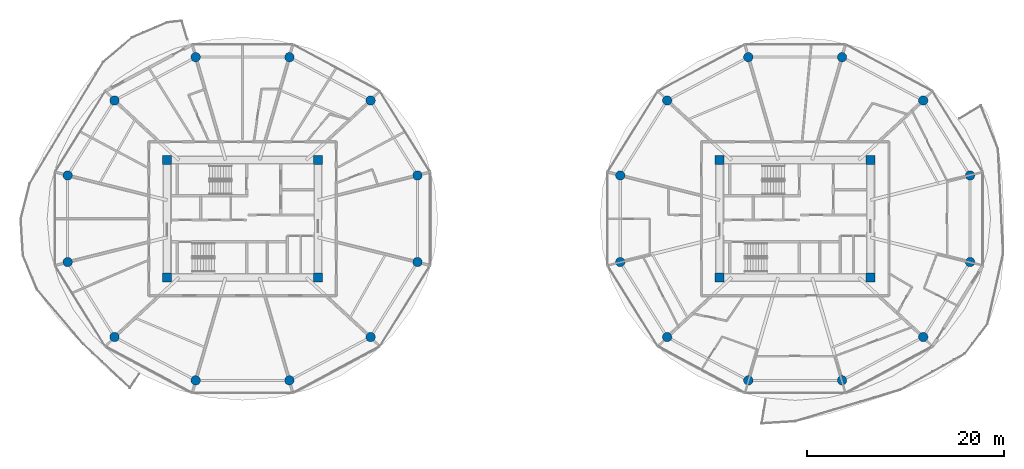
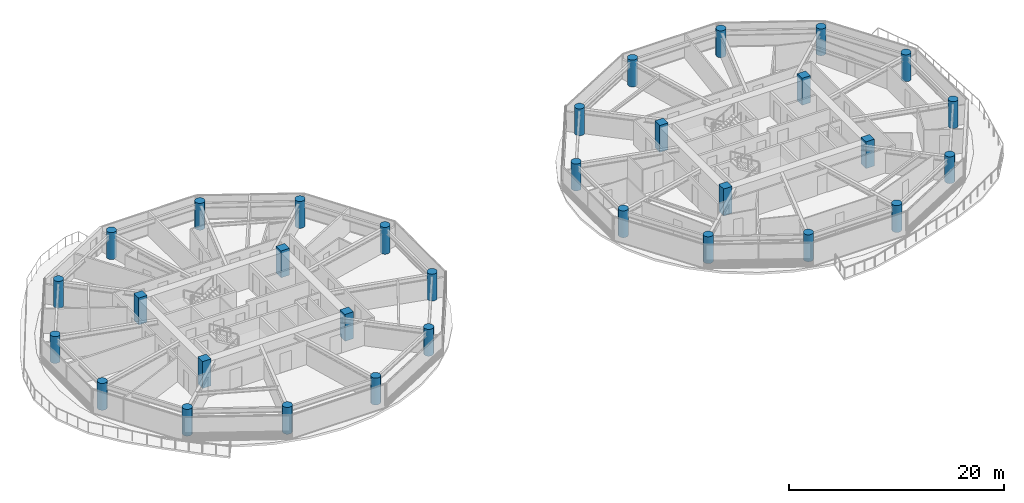
# One storey, part 1 of 27: 32 columns.
"""IFC4 building model written with IfcOpenShell, lengths in metres."""

from ifc_helpers import new_model, si_unit, direction, frame, origin, origin_2d, place, context, subcontext, project, spatial, rectangle, circle, extrude, source, transform, mapped, material, material_profile, profile_set, type_object, type_shapes, element, save


model = new_model("IFC4")

# Units and contexts
model_context = context("Model", 3, precision=1e-05, world=origin(), true_north=direction((0.0, 1.0)))
body_context = subcontext(model_context, "Body", "Model", "MODEL_VIEW")
ifc_project = project(units=[si_unit("LENGTHUNIT", "METRE"), si_unit("AREAUNIT", "SQUARE_METRE"), si_unit("VOLUMEUNIT", "CUBIC_METRE"), si_unit("PLANEANGLEUNIT", "RADIAN"), si_unit("MASSUNIT", "GRAM", prefix="KILO")], contexts=[model_context])

# Site, building, storey
site_placement = place(None, origin())
site = spatial("IfcSite", under=ifc_project, at=site_placement, CompositionType="ELEMENT")
building_placement = place(site_placement, origin())
building = spatial("IfcBuilding", under=site, at=building_placement, Name="Norrkilde Senior Care Towers", CompositionType="ELEMENT")
storey_placement = place(building_placement, frame((0.0, 0.0, 33.800048828125)))
storey = spatial("IfcBuildingStorey", under=building, at=storey_placement, Name="L09", CompositionType="ELEMENT", Elevation=33.800048828125)

# Columns
ifc_material = material(Name="Concrete C60/75", Category="concrete")
ifc_material_profile_1 = material_profile(ifc_material, rectangle(XDim=0.89990234375, YDim=0.89990234375, at=origin_2d()), Name="RC COL 900x900")
ifc_profile_set_1 = profile_set([ifc_material_profile_1], Name="Concrete C60/75")
column_type_1 = type_object("IfcColumnType", Name="Column Core Corner Z1-Z2 900", PredefinedType="COLUMN", material=ifc_profile_set_1)
shared_shape_1 = source(origin(), body_context, "Body", "SweptSolid", [
    extrude(rectangle(XDim=0.89990234375, YDim=0.89990234375, at=origin_2d()), origin(), (0.0, 0.0, 1.0), 3.050048828125),
])
type_shapes(column_type_1, [shared_shape_1])
for number, where, z_axis, x_axis, name in (
    (1, (-35.64990234375, -5.949951171875, 0.0), (0.0, 0.0, 1.0), (1.0, 0.0, 0.0), "L09 Core W Corner Column 1"),
    (2, (-20.35009765625, -5.949951171875, 0.0), (0.0, 0.0, 1.0), (1.0, 0.0, 0.0), "L09 Core W Corner Column 2"),
    (3, (-20.35009765625, 5.949951171875, 0.0), (0.0, 0.0, 1.0), (1.0, 0.0, 0.0), "L09 Core W Corner Column 3"),
    (4, (-35.64990234375, 5.949951171875, 0.0), (0.0, 0.0, 1.0), (1.0, 0.0, 0.0), "L09 Core W Corner Column 4"),
    (5, (20.35009765625, -5.949951171875, 0.0), (0.0, 0.0, 1.0), (1.0, 0.0, 0.0), "L09 Core E Corner Column 1"),
    (6, (35.64990234375, -5.949951171875, 0.0), (0.0, 0.0, 1.0), (1.0, 0.0, 0.0), "L09 Core E Corner Column 2"),
    (7, (35.64990234375, 5.949951171875, 0.0), (0.0, 0.0, 1.0), (1.0, 0.0, 0.0), "L09 Core E Corner Column 3"),
    (8, (20.35009765625, 5.949951171875, 0.0), (0.0, 0.0, 1.0), (1.0, 0.0, 0.0), "L09 Core E Corner Column 4"),
):
    element("IfcColumn", number, at=place(storey_placement, frame(where, z_axis=z_axis, x_axis=x_axis)), inside=storey, type_object=column_type_1, Name=name, PredefinedType="COLUMN", context=body_context, shape_type="MappedRepresentation", body=[
        mapped(shared_shape_1, transform((0.0, 0.0, 0.0), x_axis=(1.0, 0.0, 0.0), y_axis=(0.0, 1.0, 0.0), z_axis=(0.0, 0.0, 1.0), scale=1.0)),
    ])
ifc_material_profile_2 = material_profile(ifc_material, circle(Radius=0.47509765625, at=origin_2d()), Name="RC CIR 950")
ifc_profile_set_2 = profile_set([ifc_material_profile_2], Name="Concrete C60/75")
column_type_2 = type_object("IfcColumnType", Name="Column Perimeter Z1 950", PredefinedType="COLUMN", material=ifc_profile_set_2)
shared_shape_2 = source(origin(), body_context, "Body", "SweptSolid", [
    extrude(circle(Radius=0.47509765625, at=origin_2d()), origin(), (0.0, 0.0, 1.0), 3.050048828125),
])
type_shapes(column_type_2, [shared_shape_2])
for number, where, z_axis, x_axis, name in (
    (9, (-10.275146484375, 4.386962890625, 0.0), (0.0, 0.0, 1.0), (1.0, 0.0, 0.0), "L09 Drum W Perimeter Column 01"),
    (10, (-15.024658203125, 11.9853515625, 0.0), (0.0, 0.0, 1.0), (1.0, 0.0, 0.0), "L09 Drum W Perimeter Column 02"),
    (11, (-23.250732421875, 16.37255859375, 0.0), (0.0, 0.0, 1.0), (1.0, 0.0, 0.0), "L09 Drum W Perimeter Column 03"),
    (12, (-32.749267578125, 16.37255859375, 0.0), (0.0, 0.0, 1.0), (1.0, 0.0, 0.0), "L09 Drum W Perimeter Column 04"),
    (13, (-40.975341796875, 11.9853515625, 0.0), (0.0, 0.0, 1.0), (1.0, 0.0, 0.0), "L09 Drum W Perimeter Column 05"),
    (14, (-45.724853515625, 4.386962890625, 0.0), (0.0, 0.0, 1.0), (1.0, 0.0, 0.0), "L09 Drum W Perimeter Column 06"),
    (15, (-45.724853515625, -4.386962890625, 0.0), (0.0, 0.0, 1.0), (1.0, 0.0, 0.0), "L09 Drum W Perimeter Column 07"),
    (16, (-40.975341796875, -11.9853515625, 0.0), (0.0, 0.0, 1.0), (1.0, 0.0, 0.0), "L09 Drum W Perimeter Column 08"),
    (17, (-32.749267578125, -16.37255859375, 0.0), (0.0, 0.0, 1.0), (1.0, 0.0, 0.0), "L09 Drum W Perimeter Column 09"),
    (18, (-23.250732421875, -16.37255859375, 0.0), (0.0, 0.0, 1.0), (1.0, 0.0, 0.0), "L09 Drum W Perimeter Column 10"),
    (19, (-15.024658203125, -11.9853515625, 0.0), (0.0, 0.0, 1.0), (1.0, 0.0, 0.0), "L09 Drum W Perimeter Column 11"),
    (20, (-10.275146484375, -4.386962890625, 0.0), (0.0, 0.0, 1.0), (1.0, 0.0, 0.0), "L09 Drum W Perimeter Column 12"),
    (21, (45.724853515625, 4.386962890625, 0.0), (0.0, 0.0, 1.0), (1.0, 0.0, 0.0), "L09 Drum E Perimeter Column 01"),
    (22, (40.975341796875, 11.9853515625, 0.0), (0.0, 0.0, 1.0), (1.0, 0.0, 0.0), "L09 Drum E Perimeter Column 02"),
    (23, (32.749267578125, 16.37255859375, 0.0), (0.0, 0.0, 1.0), (1.0, 0.0, 0.0), "L09 Drum E Perimeter Column 03"),
    (24, (23.250732421875, 16.37255859375, 0.0), (0.0, 0.0, 1.0), (1.0, 0.0, 0.0), "L09 Drum E Perimeter Column 04"),
    (25, (15.024658203125, 11.9853515625, 0.0), (0.0, 0.0, 1.0), (1.0, 0.0, 0.0), "L09 Drum E Perimeter Column 05"),
    (26, (10.275146484375, 4.386962890625, 0.0), (0.0, 0.0, 1.0), (1.0, 0.0, 0.0), "L09 Drum E Perimeter Column 06"),
    (27, (10.275146484375, -4.386962890625, 0.0), (0.0, 0.0, 1.0), (1.0, 0.0, 0.0), "L09 Drum E Perimeter Column 07"),
    (28, (15.024658203125, -11.9853515625, 0.0), (0.0, 0.0, 1.0), (1.0, 0.0, 0.0), "L09 Drum E Perimeter Column 08"),
    (29, (23.250732421875, -16.37255859375, 0.0), (0.0, 0.0, 1.0), (1.0, 0.0, 0.0), "L09 Drum E Perimeter Column 09"),
    (30, (32.749267578125, -16.37255859375, 0.0), (0.0, 0.0, 1.0), (1.0, 0.0, 0.0), "L09 Drum E Perimeter Column 10"),
    (31, (40.975341796875, -11.9853515625, 0.0), (0.0, 0.0, 1.0), (1.0, 0.0, 0.0), "L09 Drum E Perimeter Column 11"),
    (32, (45.724853515625, -4.386962890625, 0.0), (0.0, 0.0, 1.0), (1.0, 0.0, 0.0), "L09 Drum E Perimeter Column 12"),
):
    element("IfcColumn", number, at=place(storey_placement, frame(where, z_axis=z_axis, x_axis=x_axis)), inside=storey, type_object=column_type_2, Name=name, PredefinedType="COLUMN", context=body_context, shape_type="MappedRepresentation", body=[
        mapped(shared_shape_2, transform((0.0, 0.0, 0.0), x_axis=(1.0, 0.0, 0.0), y_axis=(0.0, 1.0, 0.0), z_axis=(0.0, 0.0, 1.0), scale=1.0)),
    ])

save(model, "model.ifc")
